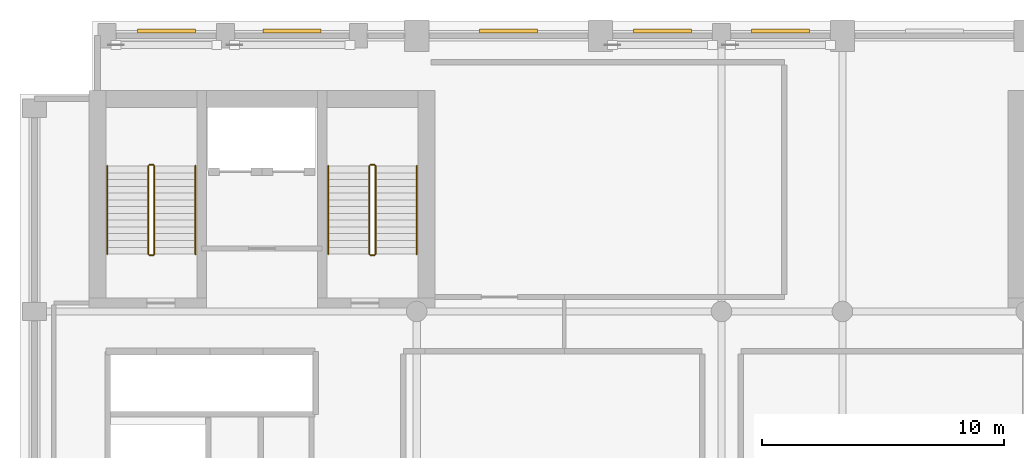
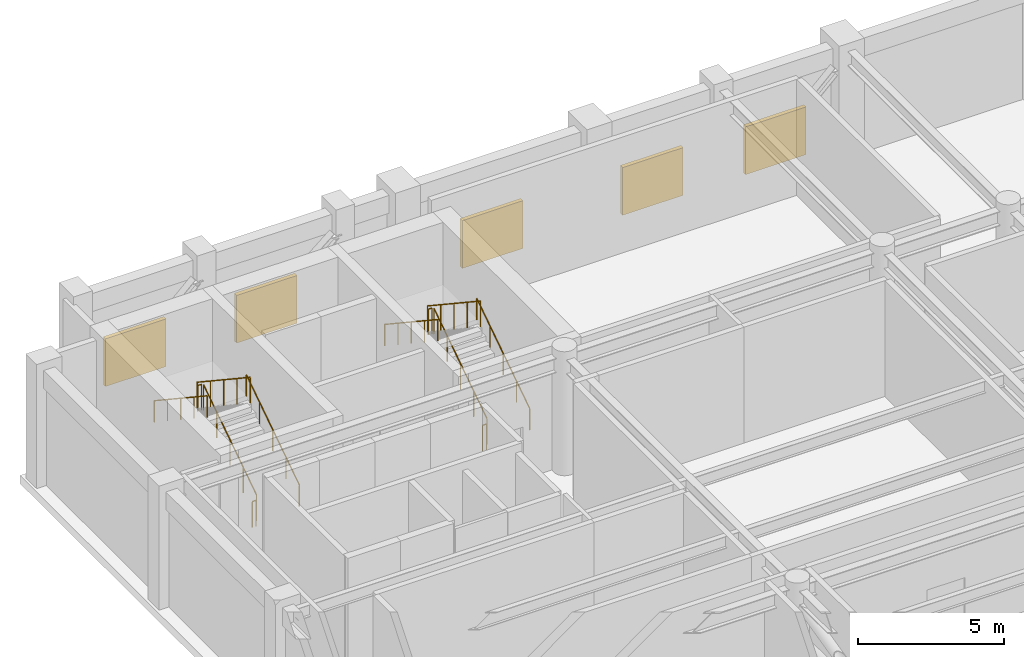
# One storey, part 10 of 11: 12 railings, 5 shading devices.
"""IFC4 building model written with IfcOpenShell, lengths in metres."""

from ifc_helpers import new_model, si_unit, direction, frame, origin, origin_2d, place, context, subcontext, project, spatial, rectangle, circle, extrude, material, type_object, element, save


model = new_model("IFC4")

# Units and contexts
model_context = context("Model", 3, precision=1e-05, world=origin(), true_north=direction((0.0, 1.0)))
body_context = subcontext(model_context, "Body", "Model", "MODEL_VIEW")
ifc_project = project(units=[si_unit("LENGTHUNIT", "METRE"), si_unit("AREAUNIT", "SQUARE_METRE"), si_unit("VOLUMEUNIT", "CUBIC_METRE"), si_unit("PLANEANGLEUNIT", "RADIAN"), si_unit("MASSUNIT", "GRAM", prefix="KILO")], contexts=[model_context])

# Site, building, storey
site_placement = place(None, origin())
site = spatial("IfcSite", under=ifc_project, at=site_placement, CompositionType="ELEMENT")
building_placement = place(site_placement, origin())
building = spatial("IfcBuilding", under=site, at=building_placement, Name="Sulina Concourse Tower", CompositionType="ELEMENT")
storey_placement = place(building_placement, frame((0.0, 0.0, 238.60009765625)))
storey = spatial("IfcBuildingStorey", under=building, at=storey_placement, Name="L58", CompositionType="ELEMENT", Elevation=238.60009765625)

# Railings
ifc_material_1 = material(Name="Galvanised steel railing", Category="steel")
railing_type_1 = type_object("IfcRailingType", Name="Core Stair Steel Guardrail 1150mm", PredefinedType="GUARDRAIL", material=ifc_material_1)
railing_1_placement = place(storey_placement, frame((5.554931640625, 36.375, 0.185546875)))
element("IfcRailing", 1, at=railing_1_placement, inside=storey, type_object=railing_type_1, Name="L58 ST-1 stair guard 1", PredefinedType="GUARDRAIL", context=body_context, shape_type="SweptSolid", body=[
    extrude(circle(Radius=0.02392578125, at=origin_2d()), frame((0.0, 0.0, 1.076171875), z_axis=(0.0, 0.833346510843, 0.552750932036), x_axis=(-1.0, 0.0, 0.0)), (0.0, 0.0, 1.0), 4.367919921875),
    extrude(circle(Radius=0.02099609375, at=origin_2d()), origin(), (0.0, 0.0, 1.0), 1.052001953125),
    extrude(circle(Radius=0.02099609375, at=origin_2d()), frame((0.0, 0.909912109375, 0.603515625)), (0.0, 0.0, 1.0), 1.052001953125),
    extrude(circle(Radius=0.02099609375, at=origin_2d()), frame((0.0, 1.81982421875, 1.20703125)), (0.0, 0.0, 1.0), 1.052001953125),
    extrude(circle(Radius=0.02099609375, at=origin_2d()), frame((0.0, 2.72998046875, 1.810791015625)), (0.0, 0.0, 1.0), 1.052001953125),
    extrude(circle(Radius=0.02099609375, at=origin_2d()), frame((0.0, 3.639892578125, 2.414306640625)), (0.0, 0.0, 1.0), 1.052001953125),
])
railing_2_placement = place(storey_placement, frame((5.5048828125, 40.06494140625, 2.599853515625)))
element("IfcRailing", 2, at=railing_2_placement, inside=storey, type_object=railing_type_1, Name="L58 ST-1 stair guard 2", PredefinedType="GUARDRAIL", context=body_context, shape_type="SweptSolid", body=[
    extrude(circle(Radius=0.02392578125, at=origin_2d()), frame((0.0, 0.0, 1.076171875), z_axis=(-1.0, 0.0, 0.0), x_axis=(0.0, -1.0, 0.0)), (0.0, 0.0, 1.0), 0.14990234375),
    extrude(circle(Radius=0.02099609375, at=origin_2d()), origin(), (0.0, 0.0, 1.0), 1.052001953125),
    extrude(circle(Radius=0.02099609375, at=origin_2d()), frame((-0.14990234375, 0.0, 0.0)), (0.0, 0.0, 1.0), 1.052001953125),
])
railing_3_placement = place(storey_placement, frame((5.304931640625, 40.014892578125, 2.78564453125)))
element("IfcRailing", 3, at=railing_3_placement, inside=storey, type_object=railing_type_1, Name="L58 ST-1 stair guard 3", PredefinedType="GUARDRAIL", context=body_context, shape_type="SweptSolid", body=[
    extrude(circle(Radius=0.02392578125, at=origin_2d()), frame((0.0, 0.0, 1.076171875), z_axis=(0.0, -0.833346510843, 0.552750932036), x_axis=(1.0, 0.0, 0.0)), (0.0, 0.0, 1.0), 4.367919921875),
    extrude(circle(Radius=0.02099609375, at=origin_2d()), origin(), (0.0, 0.0, 1.0), 1.052001953125),
    extrude(circle(Radius=0.02099609375, at=origin_2d()), frame((0.0, -0.909912109375, 0.603515625)), (0.0, 0.0, 1.0), 1.052001953125),
    extrude(circle(Radius=0.02099609375, at=origin_2d()), frame((0.0, -1.81982421875, 1.20703125)), (0.0, 0.0, 1.0), 1.052001953125),
    extrude(circle(Radius=0.02099609375, at=origin_2d()), frame((0.0, -2.72998046875, 1.810791015625)), (0.0, 0.0, 1.0), 1.052001953125),
    extrude(circle(Radius=0.02099609375, at=origin_2d()), frame((0.0, -3.639892578125, 2.414306640625)), (0.0, 0.0, 1.0), 1.052001953125),
])
railing_4_placement = place(storey_placement, frame((5.5048828125, 36.324951171875, 0.0)))
element("IfcRailing", 4, at=railing_4_placement, inside=storey, type_object=railing_type_1, Name="L58 ST-1 stair guard 4", PredefinedType="GUARDRAIL", context=body_context, shape_type="SweptSolid", body=[
    extrude(circle(Radius=0.02392578125, at=origin_2d()), frame((0.0, 0.0, 1.076171875), z_axis=(-1.0, 0.0, 0.0), x_axis=(0.0, -1.0, 0.0)), (0.0, 0.0, 1.0), 0.14990234375),
    extrude(circle(Radius=0.02099609375, at=origin_2d()), origin(), (0.0, 0.0, 1.0), 1.052001953125),
    extrude(circle(Radius=0.02099609375, at=origin_2d()), frame((-0.14990234375, 0.0, 0.0)), (0.0, 0.0, 1.0), 1.052001953125),
])
railing_5_placement = place(storey_placement, frame((14.695068359375, 36.375, 0.185546875)))
element("IfcRailing", 5, at=railing_5_placement, inside=storey, type_object=railing_type_1, Name="L58 ST-2 stair guard 1", PredefinedType="GUARDRAIL", context=body_context, shape_type="SweptSolid", body=[
    extrude(circle(Radius=0.02392578125, at=origin_2d()), frame((0.0, 0.0, 1.076171875), z_axis=(0.0, 0.833346510843, 0.552750932036), x_axis=(-1.0, 0.0, 0.0)), (0.0, 0.0, 1.0), 4.367919921875),
    extrude(circle(Radius=0.02099609375, at=origin_2d()), origin(), (0.0, 0.0, 1.0), 1.052001953125),
    extrude(circle(Radius=0.02099609375, at=origin_2d()), frame((0.0, 0.909912109375, 0.603515625)), (0.0, 0.0, 1.0), 1.052001953125),
    extrude(circle(Radius=0.02099609375, at=origin_2d()), frame((0.0, 1.81982421875, 1.20703125)), (0.0, 0.0, 1.0), 1.052001953125),
    extrude(circle(Radius=0.02099609375, at=origin_2d()), frame((0.0, 2.72998046875, 1.810791015625)), (0.0, 0.0, 1.0), 1.052001953125),
    extrude(circle(Radius=0.02099609375, at=origin_2d()), frame((0.0, 3.639892578125, 2.414306640625)), (0.0, 0.0, 1.0), 1.052001953125),
])
railing_6_placement = place(storey_placement, frame((14.64501953125, 40.06494140625, 2.599853515625)))
element("IfcRailing", 6, at=railing_6_placement, inside=storey, type_object=railing_type_1, Name="L58 ST-2 stair guard 2", PredefinedType="GUARDRAIL", context=body_context, shape_type="SweptSolid", body=[
    extrude(circle(Radius=0.02392578125, at=origin_2d()), frame((0.0, 0.0, 1.076171875), z_axis=(-1.0, 0.0, 0.0), x_axis=(0.0, -1.0, 0.0)), (0.0, 0.0, 1.0), 0.14990234375),
    extrude(circle(Radius=0.02099609375, at=origin_2d()), origin(), (0.0, 0.0, 1.0), 1.052001953125),
    extrude(circle(Radius=0.02099609375, at=origin_2d()), frame((-0.14990234375, 0.0, 0.0)), (0.0, 0.0, 1.0), 1.052001953125),
])
railing_7_placement = place(storey_placement, frame((14.445068359375, 40.014892578125, 2.78564453125)))
element("IfcRailing", 7, at=railing_7_placement, inside=storey, type_object=railing_type_1, Name="L58 ST-2 stair guard 3", PredefinedType="GUARDRAIL", context=body_context, shape_type="SweptSolid", body=[
    extrude(circle(Radius=0.02392578125, at=origin_2d()), frame((0.0, 0.0, 1.076171875), z_axis=(0.0, -0.833346510843, 0.552750932036), x_axis=(1.0, 0.0, 0.0)), (0.0, 0.0, 1.0), 4.367919921875),
    extrude(circle(Radius=0.02099609375, at=origin_2d()), origin(), (0.0, 0.0, 1.0), 1.052001953125),
    extrude(circle(Radius=0.02099609375, at=origin_2d()), frame((0.0, -0.909912109375, 0.603515625)), (0.0, 0.0, 1.0), 1.052001953125),
    extrude(circle(Radius=0.02099609375, at=origin_2d()), frame((0.0, -1.81982421875, 1.20703125)), (0.0, 0.0, 1.0), 1.052001953125),
    extrude(circle(Radius=0.02099609375, at=origin_2d()), frame((0.0, -2.72998046875, 1.810791015625)), (0.0, 0.0, 1.0), 1.052001953125),
    extrude(circle(Radius=0.02099609375, at=origin_2d()), frame((0.0, -3.639892578125, 2.414306640625)), (0.0, 0.0, 1.0), 1.052001953125),
])
railing_8_placement = place(storey_placement, frame((14.64501953125, 36.324951171875, 0.0)))
element("IfcRailing", 8, at=railing_8_placement, inside=storey, type_object=railing_type_1, Name="L58 ST-2 stair guard 4", PredefinedType="GUARDRAIL", context=body_context, shape_type="SweptSolid", body=[
    extrude(circle(Radius=0.02392578125, at=origin_2d()), frame((0.0, 0.0, 1.076171875), z_axis=(-1.0, 0.0, 0.0), x_axis=(0.0, -1.0, 0.0)), (0.0, 0.0, 1.0), 0.14990234375),
    extrude(circle(Radius=0.02099609375, at=origin_2d()), origin(), (0.0, 0.0, 1.0), 1.052001953125),
    extrude(circle(Radius=0.02099609375, at=origin_2d()), frame((-0.14990234375, 0.0, 0.0)), (0.0, 0.0, 1.0), 1.052001953125),
])

# Shading devices
ifc_material_2 = material(Name="Anodised bronze aluminium", Category="aluminium")
shading_device_type = type_object("IfcShadingDeviceType", Name="Plant Room Acoustic Weather Louvre Bank", PredefinedType="JALOUSIE", material=ifc_material_2)
for number, where, z_axis, x_axis, name in (
    (9, (6.050048828125, 45.60009765625, 0.5), (0.0, 0.0, 1.0), (1.0, 0.0, 0.0), "L58 acoustic weather louvre N1"),
    (10, (11.25, 45.60009765625, 0.5), (0.0, 0.0, 1.0), (1.0, 0.0, 0.0), "L58 acoustic weather louvre N2"),
    (11, (20.199951171875, 45.60009765625, 0.5), (0.0, 0.0, 1.0), (1.0, 0.0, 0.0), "L58 acoustic weather louvre N4"),
    (12, (26.5625, 45.60009765625, 0.5), (0.0, 0.0, 1.0), (1.0, 0.0, 0.0), "L58 acoustic weather louvre N5"),
    (13, (31.4375, 45.60009765625, 0.5), (0.0, 0.0, 1.0), (1.0, 0.0, 0.0), "L58 acoustic weather louvre N6"),
):
    element("IfcShadingDevice", number, at=place(storey_placement, frame(where, z_axis=z_axis, x_axis=x_axis)), inside=storey, type_object=shading_device_type, Name=name, PredefinedType="JALOUSIE", context=body_context, shape_type="SweptSolid", body=[
        extrude(rectangle(XDim=2.39990234375, YDim=0.159912109375, at=origin_2d()), origin(), (0.0, 0.0, 1.0), 2.0),
    ])

# Railings
ifc_material_3 = material(Name="Galvanised steel railing", Category="steel")
railing_type_2 = type_object("IfcRailingType", Name="Stair Wall Steel Handrail 920mm", PredefinedType="HANDRAIL", material=ifc_material_3)
railing_9_placement = place(storey_placement, frame((7.2548828125, 36.375, 0.185546875)))
element("IfcRailing", 14, at=railing_9_placement, inside=storey, type_object=railing_type_2, Name="L58 ST-1 stair handrail 1", PredefinedType="HANDRAIL", context=body_context, shape_type="SweptSolid", body=[
    extrude(circle(Radius=0.02392578125, at=origin_2d()), frame((0.0, 0.0, 0.89599609375), z_axis=(0.0, 0.833346510843, 0.552750932036), x_axis=(-1.0, 0.0, 0.0)), (0.0, 0.0, 1.0), 4.367919921875),
    extrude(circle(Radius=0.02099609375, at=origin_2d()), origin(), (0.0, 0.0, 1.0), 0.871826171875),
    extrude(circle(Radius=0.02099609375, at=origin_2d()), frame((0.0, 0.909912109375, 0.603515625)), (0.0, 0.0, 1.0), 0.871826171875),
    extrude(circle(Radius=0.02099609375, at=origin_2d()), frame((0.0, 1.81982421875, 1.20703125)), (0.0, 0.0, 1.0), 0.871826171875),
    extrude(circle(Radius=0.02099609375, at=origin_2d()), frame((0.0, 2.72998046875, 1.810791015625)), (0.0, 0.0, 1.0), 0.871826171875),
    extrude(circle(Radius=0.02099609375, at=origin_2d()), frame((0.0, 3.639892578125, 2.414306640625)), (0.0, 0.0, 1.0), 0.871826171875),
])
railing_10_placement = place(storey_placement, frame((3.60498046875, 40.014892578125, 2.78564453125)))
element("IfcRailing", 15, at=railing_10_placement, inside=storey, type_object=railing_type_2, Name="L58 ST-1 stair handrail 2", PredefinedType="HANDRAIL", context=body_context, shape_type="SweptSolid", body=[
    extrude(circle(Radius=0.02392578125, at=origin_2d()), frame((0.0, 0.0, 0.89599609375), z_axis=(0.0, -0.833346510843, 0.552750932036), x_axis=(1.0, 0.0, 0.0)), (0.0, 0.0, 1.0), 4.367919921875),
    extrude(circle(Radius=0.02099609375, at=origin_2d()), origin(), (0.0, 0.0, 1.0), 0.871826171875),
    extrude(circle(Radius=0.02099609375, at=origin_2d()), frame((0.0, -0.909912109375, 0.603515625)), (0.0, 0.0, 1.0), 0.871826171875),
    extrude(circle(Radius=0.02099609375, at=origin_2d()), frame((0.0, -1.81982421875, 1.20703125)), (0.0, 0.0, 1.0), 0.871826171875),
    extrude(circle(Radius=0.02099609375, at=origin_2d()), frame((0.0, -2.72998046875, 1.810791015625)), (0.0, 0.0, 1.0), 0.871826171875),
    extrude(circle(Radius=0.02099609375, at=origin_2d()), frame((0.0, -3.639892578125, 2.414306640625)), (0.0, 0.0, 1.0), 0.871826171875),
])
railing_11_placement = place(storey_placement, frame((16.39501953125, 36.375, 0.185546875)))
element("IfcRailing", 16, at=railing_11_placement, inside=storey, type_object=railing_type_2, Name="L58 ST-2 stair handrail 1", PredefinedType="HANDRAIL", context=body_context, shape_type="SweptSolid", body=[
    extrude(circle(Radius=0.02392578125, at=origin_2d()), frame((0.0, 0.0, 0.89599609375), z_axis=(0.0, 0.833346510843, 0.552750932036), x_axis=(-1.0, 0.0, 0.0)), (0.0, 0.0, 1.0), 4.367919921875),
    extrude(circle(Radius=0.02099609375, at=origin_2d()), origin(), (0.0, 0.0, 1.0), 0.871826171875),
    extrude(circle(Radius=0.02099609375, at=origin_2d()), frame((0.0, 0.909912109375, 0.603515625)), (0.0, 0.0, 1.0), 0.871826171875),
    extrude(circle(Radius=0.02099609375, at=origin_2d()), frame((0.0, 1.81982421875, 1.20703125)), (0.0, 0.0, 1.0), 0.871826171875),
    extrude(circle(Radius=0.02099609375, at=origin_2d()), frame((0.0, 2.72998046875, 1.810791015625)), (0.0, 0.0, 1.0), 0.871826171875),
    extrude(circle(Radius=0.02099609375, at=origin_2d()), frame((0.0, 3.639892578125, 2.414306640625)), (0.0, 0.0, 1.0), 0.871826171875),
])
railing_12_placement = place(storey_placement, frame((12.7451171875, 40.014892578125, 2.78564453125)))
element("IfcRailing", 17, at=railing_12_placement, inside=storey, type_object=railing_type_2, Name="L58 ST-2 stair handrail 2", PredefinedType="HANDRAIL", context=body_context, shape_type="SweptSolid", body=[
    extrude(circle(Radius=0.02392578125, at=origin_2d()), frame((0.0, 0.0, 0.89599609375), z_axis=(0.0, -0.833346510843, 0.552750932036), x_axis=(1.0, 0.0, 0.0)), (0.0, 0.0, 1.0), 4.367919921875),
    extrude(circle(Radius=0.02099609375, at=origin_2d()), origin(), (0.0, 0.0, 1.0), 0.871826171875),
    extrude(circle(Radius=0.02099609375, at=origin_2d()), frame((0.0, -0.909912109375, 0.603515625)), (0.0, 0.0, 1.0), 0.871826171875),
    extrude(circle(Radius=0.02099609375, at=origin_2d()), frame((0.0, -1.81982421875, 1.20703125)), (0.0, 0.0, 1.0), 0.871826171875),
    extrude(circle(Radius=0.02099609375, at=origin_2d()), frame((0.0, -2.72998046875, 1.810791015625)), (0.0, 0.0, 1.0), 0.871826171875),
    extrude(circle(Radius=0.02099609375, at=origin_2d()), frame((0.0, -3.639892578125, 2.414306640625)), (0.0, 0.0, 1.0), 0.871826171875),
])

save(model, "model.ifc")
